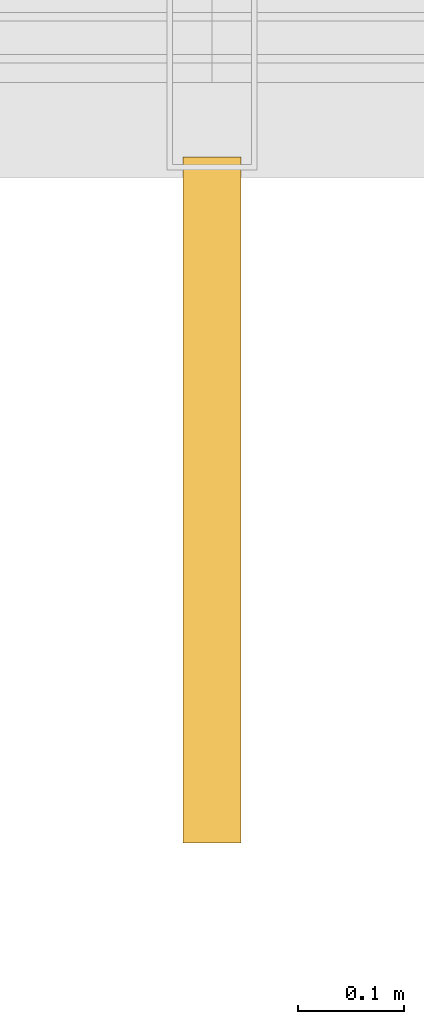
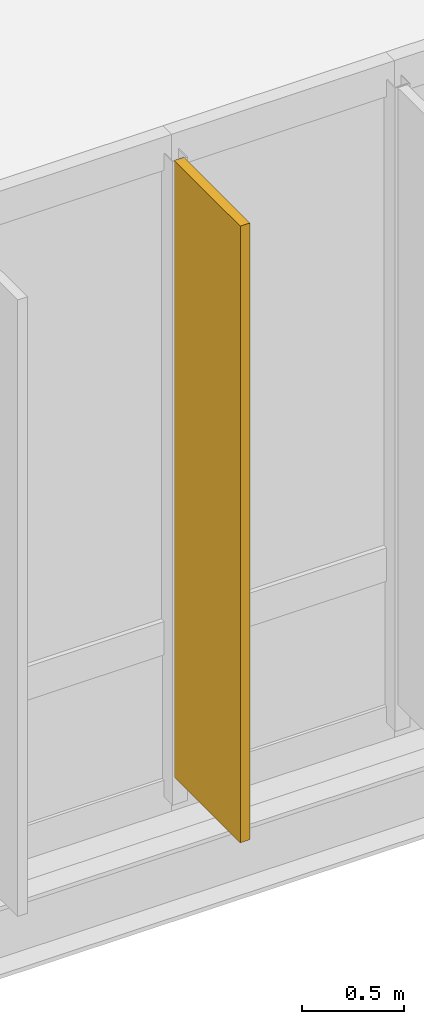
# One storey, part 101 of 107: 1 shading device.
"""IFC4 building model written with IfcOpenShell, lengths in metres."""

from ifc_helpers import new_model, si_unit, derived_unit, direction, frame, origin, origin_2d, place, context, subcontext, project, spatial, rectangle, extrude, material, layer, layer_set, type_object, element, save


model = new_model("IFC4")

# Units and contexts
model_context = context("Model", 3, precision=1e-05, world=origin(), true_north=direction((0.0, 1.0)))
body_context = subcontext(model_context, "Body", "Model", "MODEL_VIEW")
ifc_project = project(units=[si_unit("LENGTHUNIT", "METRE"), si_unit("AREAUNIT", "SQUARE_METRE"), si_unit("VOLUMEUNIT", "CUBIC_METRE"), si_unit("PLANEANGLEUNIT", "RADIAN"), si_unit("MASSUNIT", "GRAM", prefix="KILO"), derived_unit("THERMALTRANSMITTANCEUNIT", [(si_unit("MASSUNIT", "GRAM", prefix="KILO"), 1), (si_unit("TIMEUNIT", "SECOND"), -3), (si_unit("THERMODYNAMICTEMPERATUREUNIT", "KELVIN"), -1)])], contexts=[model_context])

# Site, building, storey
site_placement = place(None, origin())
site = spatial("IfcSite", under=ifc_project, at=site_placement, CompositionType="ELEMENT")
building_placement = place(site_placement, origin())
building = spatial("IfcBuilding", under=site, at=building_placement, Name="Makaiwela Harbour Ferry Terminal", CompositionType="ELEMENT")
storey_placement = place(building_placement, frame((0.0, 0.0, 9.60009765625)))
storey = spatial("IfcBuildingStorey", under=building, at=storey_placement, Name="L02", CompositionType="ELEMENT", Elevation=9.60009765625)

# Shading device
ifc_material = material(Name="Marine anodised aluminium 6063-T6", Category="aluminium")
ifc_layer = layer(ifc_material, 0.054931640625)
ifc_layer_set = layer_set([ifc_layer], Name="Marine anodised aluminium 6063-T6")
shading_device_type = type_object("IfcShadingDeviceType", Name="ENV-FIN-650", PredefinedType="USERDEFINED", material=ifc_layer_set)
shading_device_placement = place(storey_placement, frame((127.260009765625, 48.9619140625, 0.156982421875), z_axis=(0.0, 0.0, 1.0), x_axis=(0.0, -1.0, 0.0)))
element("IfcShadingDevice", 1, at=shading_device_placement, inside=storey, type_object=shading_device_type, Name="Vertical Solar Fin SFN-0304", ObjectType="SOLAR FIN", PredefinedType="USERDEFINED", context=body_context, shape_type="SweptSolid", body=[
    extrude(rectangle(XDim=0.64990234375, YDim=0.054931640625, at=origin_2d()), origin(), (0.0, 0.0, 1.0), 3.68994140625),
])

save(model, "model.ifc")
